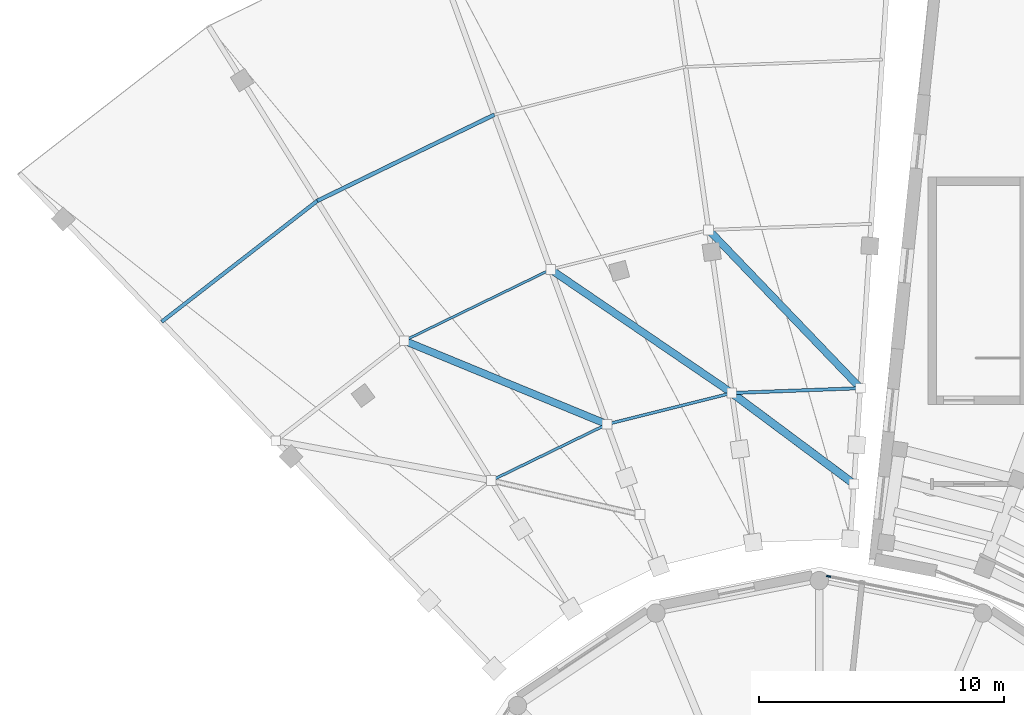
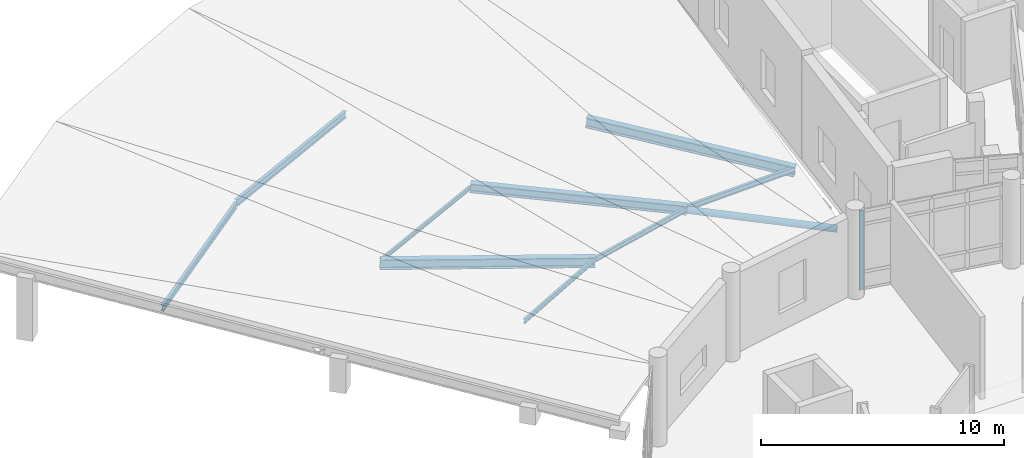
# One storey, part 12 of 27: 11 members, 1 element without a shape of its own.
"""IFC4 building model written with IfcOpenShell, lengths in metres."""

from ifc_helpers import new_model, si_unit, direction, frame, origin, origin_2d, place, context, subcontext, project, spatial, rectangle, hollow_circle, i_section, extrude, material, material_profile, profile_set, type_object, element, aggregate, save


model = new_model("IFC4")

# Units and contexts
model_context = context("Model", 3, precision=1e-05, world=origin(), true_north=direction((0.0, 1.0)))
body_context = subcontext(model_context, "Body", "Model", "MODEL_VIEW")
ifc_project = project(units=[si_unit("LENGTHUNIT", "METRE"), si_unit("AREAUNIT", "SQUARE_METRE"), si_unit("VOLUMEUNIT", "CUBIC_METRE"), si_unit("PLANEANGLEUNIT", "RADIAN"), si_unit("MASSUNIT", "GRAM", prefix="KILO")], contexts=[model_context])

# Site, building, storey
site_placement = place(None, origin())
site = spatial("IfcSite", under=ifc_project, at=site_placement, CompositionType="ELEMENT")
building_placement = place(site_placement, origin())
building = spatial("IfcBuilding", under=site, at=building_placement, Name="Soyqirgoq Riverine Aquarium", CompositionType="ELEMENT")
storey_placement = place(building_placement, frame((0.0, 0.0, 19.800048828125)))
storey = spatial("IfcBuildingStorey", under=building, at=storey_placement, Name="L05", CompositionType="ELEMENT", Elevation=19.800048828125)

# Members
ifc_material_1 = material(Name="Structural steel S355", Category="steel")
ifc_material_profile_1 = material_profile(ifc_material_1, i_section(OverallWidth=0.300048828125, OverallDepth=0.489990234375, WebThickness=0.011962890625, FlangeThickness=0.02294921875, FilletRadius=0.027099609375, at=origin_2d()), Name="HEA 500")
ifc_profile_set_1 = profile_set([ifc_material_profile_1], Name="Structural steel S355")
member_type_1 = type_object("IfcMemberType", Name="BridgeChord_HEA500", PredefinedType="CHORD", material=ifc_profile_set_1)
member_1_placement = place(storey_placement, frame((47.322509765625, 80.8408203125, 0.8427734375), z_axis=(-0.921610870096, 0.37966251647, 0.080559156574), x_axis=(-0.380900508126, -0.924616029987, 0.0)))
element("IfcMember", 1, at=member_1_placement, inside=storey, type_object=member_type_1, Name="V4 Lateral Wind Brace 0184", PredefinedType="CHORD", context=body_context, shape_type="SweptSolid", body=[
    extrude(i_section(OverallWidth=0.300048828125, OverallDepth=0.489990234375, WebThickness=0.011962890625, FlangeThickness=0.02294921875, FilletRadius=0.027099609375, at=origin_2d()), origin(), (0.0, 0.0, 1.0), 8.99169921875),
])
ifc_material_2 = material(Name="Structural steel S355", Category="steel")
ifc_material_profile_2 = material_profile(ifc_material_2, i_section(OverallWidth=0.300048828125, OverallDepth=0.449951171875, WebThickness=0.013916015625, FlangeThickness=0.02587890625, FilletRadius=0.027099609375, at=origin_2d()), Name="HEB 450")
ifc_profile_set_2 = profile_set([ifc_material_profile_2], Name="Structural steel S355")
member_type_2 = type_object("IfcMemberType", Name="BridgeChord_HEB450", PredefinedType="CHORD", material=ifc_profile_set_2)
member_2_placement = place(storey_placement, frame((52.42529296875, 82.117919921875, 0.89794921875), z_axis=(-0.823967695785, 0.561798625759, 0.073888702774), x_axis=(-0.563338515098, -0.826226190221, 0.0)))
element("IfcMember", 2, at=member_2_placement, inside=storey, type_object=member_type_2, Name="V4 Lateral Wind Brace 0180", PredefinedType="CHORD", context=body_context, shape_type="SweptSolid", body=[
    extrude(i_section(OverallWidth=0.300048828125, OverallDepth=0.449951171875, WebThickness=0.013916015625, FlangeThickness=0.02587890625, FilletRadius=0.027099609375, at=origin_2d()), origin(), (0.0, 0.0, 1.0), 8.9873046875),
])

# Curtain wall, member
ifc_material_3 = material(Name="Anodised aluminium thermally broken triple low-E glazing", Category="aluminium")
curtain_wall_type = type_object("IfcCurtainWallType", Name="CW_DrumGallery_Unitised", PredefinedType="NOTDEFINED", material=ifc_material_3)
curtain_wall_placement = place(storey_placement, origin())
curtain_wall = element("IfcCurtainWall", 3, at=curtain_wall_placement, inside=storey, type_object=curtain_wall_type, Name="V1 L05 Curtain Wall 016", PredefinedType="NOTDEFINED")
ifc_material_4 = material(Name="Anodised aluminium 6063-T6", Category="aluminium")
ifc_material_profile_3 = material_profile(ifc_material_4, rectangle(XDim=0.06494140625, YDim=0.179931640625, at=origin_2d()), Name="ALU-M 65x180")
ifc_profile_set_3 = profile_set([ifc_material_profile_3], Name="Anodised aluminium 6063-T6")
member_type_3 = type_object("IfcMemberType", Name="CWMullion_65x180", PredefinedType="MULLION", material=ifc_profile_set_3)
member_3_placement = place(storey_placement, frame((56.383056640625, 74.623779296875, 0.0), z_axis=(0.0, 0.0, 1.0), x_axis=(-0.19507834152, -0.980787663396, 0.0)))
member_3 = element("IfcMember", 4, at=member_3_placement, type_object=member_type_3, Name="CW-01 mullion 5", PredefinedType="MULLION", context=body_context, shape_type="SweptSolid", body=[
    extrude(rectangle(XDim=0.06494140625, YDim=0.179931640625, at=origin_2d()), origin(), (0.0, 0.0, 1.0), 4.0),
])
aggregate(curtain_wall, [member_3])

# Members
ifc_material_5 = material(Name="Structural steel S355", Category="steel")
ifc_material_profile_4 = material_profile(ifc_material_5, hollow_circle(Radius=0.161865234375, WallThickness=0.012451171875, at=origin_2d()), Name="CHS 323.9x12.5")
ifc_profile_set_4 = profile_set([ifc_material_profile_4], Name="Structural steel S355")
member_type_4 = type_object("IfcMemberType", Name="Diag_CHS323", PredefinedType="RAFTER", material=ifc_profile_set_4)
member_4_placement = place(storey_placement, frame((57.421142578125, 78.39697265625, 0.413330078125), z_axis=(-0.799959628782, 0.595816092571, 0.071188314715), x_axis=(-0.59733158644, -0.801994373946, 0.0)))
element("IfcMember", 5, at=member_4_placement, inside=storey, type_object=member_type_4, Name="V4 Prairie Truss Sub-Rafter Diagonal 0209", PredefinedType="RAFTER", context=body_context, shape_type="SweptSolid", body=[
    extrude(hollow_circle(Radius=0.161865234375, WallThickness=0.012451171875, at=origin_2d()), origin(), (0.0, 0.0, 1.0), 6.2451171875),
])
ifc_material_6 = material(Name="Structural steel S355", Category="steel")
ifc_material_profile_5 = material_profile(ifc_material_6, i_section(OverallWidth=0.300048828125, OverallDepth=0.5, WebThickness=0.014404296875, FlangeThickness=0.028076171875, FilletRadius=0.027099609375, at=origin_2d()), Name="HEB 500")
ifc_profile_set_5 = profile_set([ifc_material_profile_5], Name="Structural steel S355")
member_type_5 = type_object("IfcMemberType", Name="FoldChord_HEB500", PredefinedType="CHORD", material=ifc_profile_set_5)
member_5_placement = place(storey_placement, frame((57.681396484375, 82.315185546875, 0.872802734375), z_axis=(-0.689910194971, 0.719147358738, 0.082770763534), x_axis=(-0.721623528228, -0.692285695005, 0.0)))
element("IfcMember", 6, at=member_5_placement, inside=storey, type_object=member_type_5, Name="V4 Lateral Wind Brace 0176", PredefinedType="CHORD", context=body_context, shape_type="SweptSolid", body=[
    extrude(i_section(OverallWidth=0.300048828125, OverallDepth=0.5, WebThickness=0.014404296875, FlangeThickness=0.028076171875, FilletRadius=0.027099609375, at=origin_2d()), origin(), (0.0, 0.0, 1.0), 8.993408203125),
])
ifc_material_7 = material(Name="Structural steel S355", Category="steel")
ifc_material_profile_6 = material_profile(ifc_material_7, i_section(OverallWidth=0.10009765625, OverallDepth=0.199951171875, WebThickness=0.005615234375, FlangeThickness=0.008544921875, FilletRadius=0.011962890625, at=origin_2d()), Name="IPE 200")
ifc_profile_set_6 = profile_set([ifc_material_profile_6], Name="Structural steel S355")
member_type_6 = type_object("IfcMemberType", Name="Purlin_IPE200", PredefinedType="PURLIN", material=ifc_profile_set_6)
member_6_placement = place(storey_placement, frame((45.02001953125, 87.1669921875, 1.524658203125), z_axis=(-0.898952490393, -0.437483855169, 0.02218775525), x_axis=(0.437591580827, -0.899173847701, 0.0)))
element("IfcMember", 7, at=member_6_placement, inside=storey, type_object=member_type_6, Name="V4 Prairie Roof Purlin 0182", PredefinedType="PURLIN", context=body_context, shape_type="SweptSolid", body=[
    extrude(i_section(OverallWidth=0.10009765625, OverallDepth=0.199951171875, WebThickness=0.005615234375, FlangeThickness=0.008544921875, FilletRadius=0.011962890625, at=origin_2d()), origin(), (0.0, 0.0, 1.0), 6.656982421875),
])
ifc_material_8 = material(Name="Structural steel S355", Category="steel")
ifc_material_profile_7 = material_profile(ifc_material_8, i_section(OverallWidth=0.110107421875, OverallDepth=0.219970703125, WebThickness=0.005859375, FlangeThickness=0.00927734375, FilletRadius=0.011962890625, at=origin_2d()), Name="IPE 220")
ifc_profile_set_7 = profile_set([ifc_material_profile_7], Name="Structural steel S355")
member_type_7 = type_object("IfcMemberType", Name="Purlin_IPE220", PredefinedType="PURLIN", material=ifc_profile_set_7)
member_7_placement = place(storey_placement, frame((47.322509765625, 80.8408203125, 0.953125), z_axis=(-0.89903392013, -0.437497045481, -0.018285121027), x_axis=(0.437570201444, -0.899184251869, 0.0)))
element("IfcMember", 8, at=member_7_placement, inside=storey, type_object=member_type_7, Name="V4 Prairie Roof Purlin 0181", PredefinedType="PURLIN", context=body_context, shape_type="SweptSolid", body=[
    extrude(i_section(OverallWidth=0.110107421875, OverallDepth=0.219970703125, WebThickness=0.005859375, FlangeThickness=0.00927734375, FilletRadius=0.011962890625, at=origin_2d()), origin(), (0.0, 0.0, 1.0), 5.2607421875),
])
ifc_material_9 = material(Name="Structural steel S355", Category="steel")
ifc_material_profile_8 = material_profile(ifc_material_9, i_section(OverallWidth=0.1201171875, OverallDepth=0.239990234375, WebThickness=0.006103515625, FlangeThickness=0.009765625, FilletRadius=0.014892578125, at=origin_2d()), Name="IPE 240")
ifc_profile_set_8 = profile_set([ifc_material_profile_8], Name="Structural steel S355")
member_type_8 = type_object("IfcMemberType", Name="Purlin_IPE240", PredefinedType="PURLIN", material=ifc_profile_set_8)
member_8_placement = place(storey_placement, frame((52.42529296875, 82.117919921875, 0.920654296875), z_axis=(-0.97007247551, -0.242784992077, 0.003852256613), x_axis=(0.242786793547, -0.97007967347, 0.0)))
element("IfcMember", 9, at=member_8_placement, inside=storey, type_object=member_type_8, Name="V4 Prairie Roof Purlin 0177", PredefinedType="PURLIN", context=body_context, shape_type="SweptSolid", body=[
    extrude(i_section(OverallWidth=0.1201171875, OverallDepth=0.239990234375, WebThickness=0.006103515625, FlangeThickness=0.009765625, FilletRadius=0.014892578125, at=origin_2d()), origin(), (0.0, 0.0, 1.0), 5.26025390625),
])
ifc_material_10 = material(Name="Structural steel S355", Category="steel")
ifc_material_profile_9 = material_profile(ifc_material_10, i_section(OverallWidth=0.135009765625, OverallDepth=0.27001953125, WebThickness=0.006591796875, FlangeThickness=0.01025390625, FilletRadius=0.014892578125, at=origin_2d()), Name="IPE 270")
ifc_profile_set_9 = profile_set([ifc_material_profile_9], Name="Structural steel S355")
member_type_9 = type_object("IfcMemberType", Name="Purlin_IPE270", PredefinedType="PURLIN", material=ifc_profile_set_9)
member_9_placement = place(storey_placement, frame((57.681396484375, 82.315185546875, 0.970458984375), z_axis=(-0.999296463702, -0.037504368186, 0.0), x_axis=(0.037504368186, -0.999296463702, 0.0)))
element("IfcMember", 10, at=member_9_placement, inside=storey, type_object=member_type_9, Name="V4 Prairie Roof Purlin 0173", PredefinedType="PURLIN", context=body_context, shape_type="SweptSolid", body=[
    extrude(i_section(OverallWidth=0.135009765625, OverallDepth=0.27001953125, WebThickness=0.006591796875, FlangeThickness=0.01025390625, FilletRadius=0.014892578125, at=origin_2d()), origin(), (0.0, 0.0, 1.0), 5.259765625),
])
ifc_material_11 = material(Name="Structural steel S355", Category="steel")
ifc_material_profile_10 = material_profile(ifc_material_11, i_section(OverallWidth=0.14990234375, OverallDepth=0.300048828125, WebThickness=0.007080078125, FlangeThickness=0.0107421875, FilletRadius=0.014892578125, at=origin_2d()), Name="IPE 300")
ifc_profile_set_10 = profile_set([ifc_material_profile_10], Name="Structural steel S355")
member_type_10 = type_object("IfcMemberType", Name="Purlin_IPE300", PredefinedType="PURLIN", material=ifc_profile_set_10)
member_10_placement = place(storey_placement, frame((35.47802734375, 89.9697265625, 2.2998046875), z_axis=(-0.789621553195, -0.613594167777, 0.0), x_axis=(0.613594167777, -0.789621553195, 0.0)))
element("IfcMember", 11, at=member_10_placement, inside=storey, type_object=member_type_10, Name="V4 Prairie Roof Purlin 0187", PredefinedType="PURLIN", context=body_context, shape_type="SweptSolid", body=[
    extrude(i_section(OverallWidth=0.14990234375, OverallDepth=0.300048828125, WebThickness=0.007080078125, FlangeThickness=0.0107421875, FilletRadius=0.014892578125, at=origin_2d()), origin(), (0.0, 0.0, 1.0), 8.05126953125),
])
ifc_material_12 = material(Name="Structural steel S355", Category="steel")
ifc_material_profile_11 = material_profile(ifc_material_12, i_section(OverallWidth=0.159912109375, OverallDepth=0.330078125, WebThickness=0.007568359375, FlangeThickness=0.011474609375, FilletRadius=0.01806640625, at=origin_2d()), Name="IPE 330")
ifc_profile_set_11 = profile_set([ifc_material_profile_11], Name="Structural steel S355")
member_type_11 = type_object("IfcMemberType", Name="Purlin_IPE330", PredefinedType="PURLIN", material=ifc_profile_set_11)
member_11_placement = place(storey_placement, frame((42.717529296875, 93.492919921875, 2.199462890625), z_axis=(-0.898952037849, -0.437486151762, 0.02216079114), x_axis=(0.437593616215, -0.899172857157, 0.0)))
element("IfcMember", 12, at=member_11_placement, inside=storey, type_object=member_type_11, Name="V4 Prairie Roof Purlin 0183", PredefinedType="PURLIN", context=body_context, shape_type="SweptSolid", body=[
    extrude(i_section(OverallWidth=0.159912109375, OverallDepth=0.330078125, WebThickness=0.007568359375, FlangeThickness=0.011474609375, FilletRadius=0.01806640625, at=origin_2d()), origin(), (0.0, 0.0, 1.0), 8.05322265625),
])

save(model, "model.ifc")
